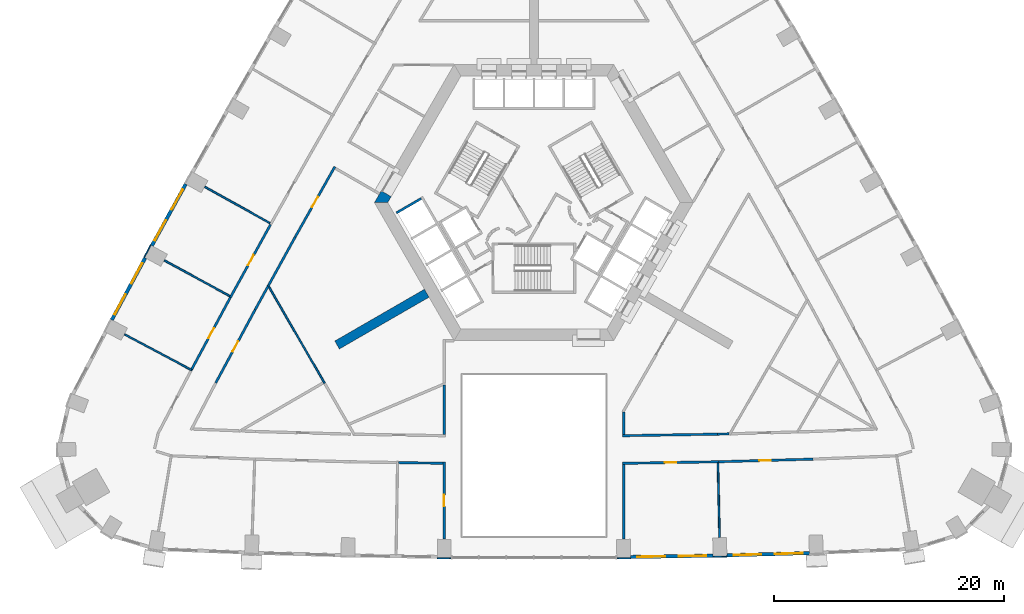
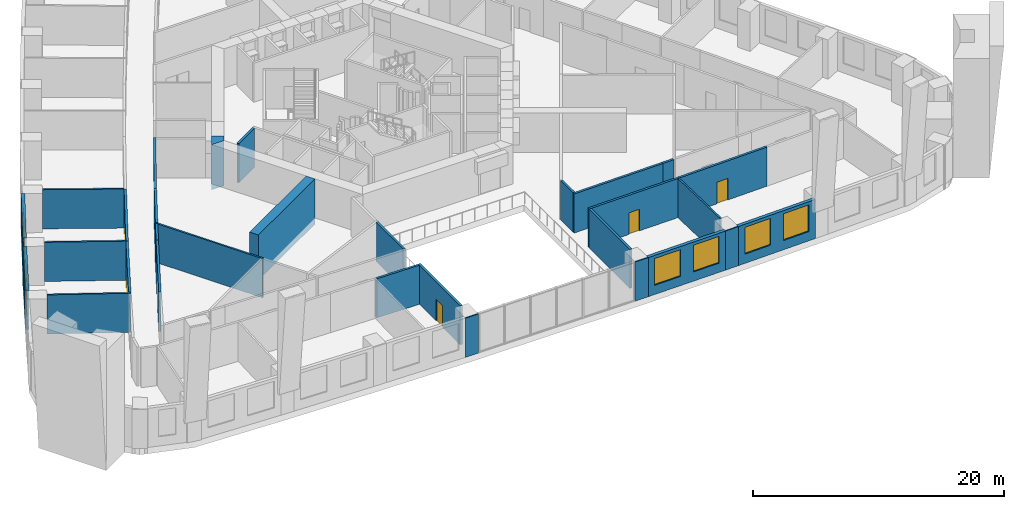
# One storey, part 5 of 15: 31 walls, 8 windows, 7 doors, 15 openings.
"""IFC4 building model written with IfcOpenShell, lengths in metres."""

from ifc_helpers import new_model, si_unit, direction, frame, frame_2d, origin, place, context, subcontext, project, spatial, polyline, rectangle, outline, extrude, material, layer, layer_set, type_object, element, fill, save


model = new_model("IFC4")

# Units and contexts
model_context = context("Model", 3, precision=1e-05, world=origin(), true_north=direction((0.0, 1.0)))
body_context = subcontext(model_context, "Body", "Model", "MODEL_VIEW")
ifc_project = project(units=[si_unit("LENGTHUNIT", "METRE"), si_unit("AREAUNIT", "SQUARE_METRE"), si_unit("VOLUMEUNIT", "CUBIC_METRE"), si_unit("PLANEANGLEUNIT", "RADIAN"), si_unit("MASSUNIT", "GRAM", prefix="KILO")], contexts=[model_context])

# Site, building, storey
site_placement = place(None, origin())
site = spatial("IfcSite", under=ifc_project, at=site_placement, CompositionType="ELEMENT")
building_placement = place(site_placement, origin())
building = spatial("IfcBuilding", under=site, at=building_placement, Name="Entoto Arch Interchange Tower", CompositionType="ELEMENT")
storey_placement = place(building_placement, frame((0.0, 0.0, 35.0)))
storey = spatial("IfcBuildingStorey", under=building, at=storey_placement, Name="L06", CompositionType="ELEMENT", Elevation=35.0)

# Walls
ifc_material_1 = material(Name="Concrete C60/75", Category="concrete")
ifc_layer_1 = layer(ifc_material_1, 0.800048828125)
ifc_layer_set_1 = layer_set([ifc_layer_1], Name="Concrete C60/75")
wall_type_1 = type_object("IfcWallType", Name="Buttress wall 800 C60/75", PredefinedType="SHEAR", material=ifc_layer_set_1)
wall_1_placement = place(storey_placement, frame((-9.31005859375, -5.375, -0.60009765625), z_axis=(0.0, 0.0, 1.0), x_axis=(-0.866017533419, -0.500013631625, 0.0)))
element("IfcWall", 1, at=wall_1_placement, inside=storey, type_object=wall_type_1, Name="Buttress wall SW L06", PredefinedType="SHEAR", context=body_context, shape_type="SweptSolid", body=[
    extrude(rectangle(XDim=8.999755859375, YDim=0.800048828125, at=frame_2d((4.5, 0.0))), origin(), (0.0, 0.0, 1.0), 4.400146484375),
])
ifc_layer_2 = layer(ifc_material_1, 1.0)
ifc_layer_set_2 = layer_set([ifc_layer_2], Name="Concrete C60/75")
wall_type_2 = type_object("IfcWallType", Name="Core wall 1000 C60/75", PredefinedType="SHEAR", material=ifc_layer_set_2)
wall_2_placement = place(storey_placement, frame((0.0, 0.0, -0.60009765625)))
element("IfcWall", 2, at=wall_2_placement, inside=storey, type_object=wall_type_2, Name="Core wall NW L06", PredefinedType="SHEAR", context=body_context, shape_type="SweptSolid", body=[
    extrude(outline(polyline([(-12.402099609375, 3.02001953125), (-13.26708984375, 3.52001953125), (-13.85595703125, 2.5), (-12.701904296875, 2.5), (-12.402099609375, 3.02001953125)])), origin(), (0.0, 0.0, 1.0), 4.400146484375),
])
ifc_material_2 = material(Name="Concrete C40/50", Category="concrete")
ifc_layer_3 = layer(ifc_material_2, 0.199951171875)
ifc_layer_set_3 = layer_set([ifc_layer_3], Name="Concrete C40/50")
wall_type_3 = type_object("IfcWallType", Name="LIFT SHAFT WALL 200", PredefinedType="STANDARD", material=ifc_layer_set_3)
wall_3_placement = place(storey_placement, frame((-9.7880859375, 2.85302734375, 0.0), z_axis=(0.0, 0.0, 1.0), x_axis=(-0.865998541277, -0.500046524342, 0.0)))
element("IfcWall", 3, at=wall_3_placement, inside=storey, type_object=wall_type_3, Name="Shaft wall SW3 cross 1", PredefinedType="STANDARD", context=body_context, shape_type="SweptSolid", body=[
    extrude(rectangle(XDim=2.499755859375, YDim=0.199951171875, at=frame_2d((1.25, 0.0))), origin(), (0.0, 0.0, 1.0), 3.800048828125),
])
ifc_material_3 = material(Name="Gypsum board partition on steel studs", Category="steel")
ifc_layer_4 = layer(ifc_material_3, 0.14990234375)
ifc_layer_set_4 = layer_set([ifc_layer_4], Name="Gypsum board partition on steel studs")
wall_type_4 = type_object("IfcWallType", Name="PARTITION 150", PredefinedType="PARTITIONING", material=ifc_layer_set_4)
wall_4_placement = place(storey_placement, frame((-18.181884765625, -13.20703125, 0.0), z_axis=(0.0, 0.0, 1.0), x_axis=(-0.500081416649, 0.865978392757, 0.0)))
element("IfcWall", 4, at=wall_4_placement, inside=storey, type_object=wall_type_4, Name="wall:L06:p122", PredefinedType="PARTITIONING", context=body_context, shape_type="SweptSolid", body=[
    extrude(rectangle(XDim=9.890380859375, YDim=0.14990234375, at=frame_2d((4.9453125, 0.0))), origin(), (0.0, 0.0, 1.0), 3.800048828125),
])
wall_5_placement = place(storey_placement, frame((15.988037109375, -20.123046875, 0.0), z_axis=(0.0, 0.0, 1.0), x_axis=(0.022230127358, -0.999752880185, 0.0)))
element("IfcWall", 5, at=wall_5_placement, inside=storey, type_object=wall_type_4, Name="wall:L06:p126", PredefinedType="PARTITIONING", context=body_context, shape_type="SweptSolid", body=[
    extrude(rectangle(XDim=6.479736328125, YDim=0.14990234375, at=frame_2d((3.23974609375, 0.0))), origin(), (0.0, 0.0, 1.0), 3.800048828125),
])
wall_6_placement = place(storey_placement, frame((-22.93505859375, 0.7119140625, 0.0), z_axis=(0.0, 0.0, 1.0), x_axis=(-0.873395616379, 0.487011393389, 0.0)))
element("IfcWall", 6, at=wall_6_placement, inside=storey, type_object=wall_type_4, Name="wall:L06:p141", PredefinedType="PARTITIONING", context=body_context, shape_type="SweptSolid", body=[
    extrude(rectangle(XDim=6.48046875, YDim=0.14990234375, at=frame_2d((3.240234375, 0.0))), origin(), (0.0, 0.0, 1.0), 3.800048828125),
])
wall_7_placement = place(storey_placement, frame((-26.425048828125, -5.623046875, 0.0), z_axis=(0.0, 0.0, 1.0), x_axis=(-0.87825523631, 0.478192157919, 0.0)))
element("IfcWall", 7, at=wall_7_placement, inside=storey, type_object=wall_type_4, Name="wall:L06:p142", PredefinedType="PARTITIONING", context=body_context, shape_type="SweptSolid", body=[
    extrude(rectangle(XDim=6.48095703125, YDim=0.14990234375, at=frame_2d((3.240478515625, 0.0))), origin(), (0.0, 0.0, 1.0), 3.800048828125),
])
wall_8_placement = place(storey_placement, frame((-29.763916015625, -12.0400390625, 0.0), z_axis=(0.0, 0.0, 1.0), x_axis=(-0.883018657393, 0.469337885426, 0.0)))
element("IfcWall", 8, at=wall_8_placement, inside=storey, type_object=wall_type_4, Name="wall:L06:p143", PredefinedType="PARTITIONING", context=body_context, shape_type="SweptSolid", body=[
    extrude(rectangle(XDim=6.579833984375, YDim=0.14990234375, at=frame_2d((3.2900390625, 0.0))), origin(), (0.0, 0.0, 1.0), 3.800048828125),
])
ifc_layer_5 = layer(ifc_material_3, 0.199951171875)
ifc_layer_set_5 = layer_set([ifc_layer_5], Name="Gypsum board partition on steel studs")
wall_type_5 = type_object("IfcWallType", Name="PARTITION 200", PredefinedType="PARTITIONING", material=ifc_layer_set_5)
wall_9_placement = place(storey_placement, frame((7.699951171875, -17.758056640625, 0.0), z_axis=(0.0, 0.0, 1.0), x_axis=(0.999865574926, 0.016396099485, 0.0)))
element("IfcWall", 9, at=wall_9_placement, inside=storey, type_object=wall_type_5, Name="wall:L06:p014", PredefinedType="PARTITIONING", context=body_context, shape_type="SweptSolid", body=[
    extrude(rectangle(XDim=8.234375, YDim=0.199951171875, at=frame_2d((4.1171875, 0.0))), origin(), (0.0, 0.0, 1.0), 3.800048828125),
])
wall_10_placement = place(storey_placement, frame((15.93310546875, -17.623046875, 0.0), z_axis=(0.0, 0.0, 1.0), x_axis=(0.999627129061, 0.027305729179, 0.0)))
element("IfcWall", 10, at=wall_10_placement, inside=storey, type_object=wall_type_5, Name="wall:L06:p015", PredefinedType="PARTITIONING", context=body_context, shape_type="SweptSolid", body=[
    extrude(rectangle(XDim=1.0283203125, YDim=0.199951171875, at=frame_2d((0.51416015625, 0.0))), origin(), (0.0, 0.0, 1.0), 3.800048828125),
])

# Wall, opening, door
wall_11_placement = place(storey_placement, frame((-17.299072265625, 5.616943359375, 0.0), z_axis=(0.0, 0.0, 1.0), x_axis=(-0.491166441632, -0.871065741844, 0.0)))
wall_11 = element("IfcWall", 11, at=wall_11_placement, inside=storey, type_object=wall_type_5, Name="wall:L06:p026", PredefinedType="PARTITIONING", context=body_context, shape_type="SweptSolid", body=[
    extrude(rectangle(XDim=7.028076171875, YDim=0.199951171875, at=frame_2d((3.51416015625, 0.0))), origin(), (0.0, 0.0, 1.0), 3.800048828125),
])
opening_1_placement = place(wall_11_placement, frame((3.013916015625, 0.0, 0.0)))
opening_1 = element("IfcOpeningElement", 12, at=opening_1_placement, cuts=wall_11, Name="Opening L06-D30", PredefinedType="OPENING", context=body_context, shape_type="SweptSolid", body=[
    extrude(rectangle(XDim=1.0, YDim=2.10009765625, at=frame_2d((0.5, 1.050048828125))), frame((0.0, 0.10986328125, 0.0), z_axis=(0.0, -1.0, 0.0), x_axis=(1.0, 0.0, 0.0)), (0.0, 0.0, 1.0), 0.219970703125),
])
ifc_material_4 = material(Name="Timber door leaf in Steel S235 frame", Category="steel")
door_type = type_object("IfcDoorType", Name="DOOR DS-10 1000x2100", OperationType="SINGLE_SWING_LEFT", PredefinedType="DOOR", material=ifc_material_4)
door_1_placement = place(opening_1_placement, origin())
door_1 = element("IfcDoor", 13, at=door_1_placement, inside=storey, type_object=door_type, Name="door:L06:30", OperationType="SINGLE_SWING_RIGHT", OverallHeight=2.10009765625, OverallWidth=1.0, PredefinedType="DOOR", context=body_context, shape_type="SweptSolid", body=[
    extrude(rectangle(XDim=1.0, YDim=2.10009765625, at=frame_2d((0.5, 1.050048828125))), frame((0.0, 0.02490234375, 0.0), z_axis=(0.0, -1.0, 0.0), x_axis=(1.0, 0.0, 0.0)), (0.0, 0.0, 1.0), 0.050048828125),
])
fill(opening_1, door_1)

# Walls
wall_12_placement = place(storey_placement, frame((-20.7509765625, -0.5048828125, 0.0), z_axis=(0.0, 0.0, 1.0), x_axis=(-0.482566110981, -0.875859548405, 0.0)))
element("IfcWall", 14, at=wall_12_placement, inside=storey, type_object=wall_type_5, Name="wall:L06:p027", PredefinedType="PARTITIONING", context=body_context, shape_type="SweptSolid", body=[
    extrude(rectangle(XDim=4.74755859375, YDim=0.199951171875, at=frame_2d((2.373779296875, 0.0))), origin(), (0.0, 0.0, 1.0), 3.800048828125),
])
wall_13_placement = place(storey_placement, frame((-23.114013671875, -4.7939453125, 0.0), z_axis=(0.0, 0.0, 1.0), x_axis=(-0.482482362329, -0.875905685586, 0.0)))
element("IfcWall", 15, at=wall_13_placement, inside=storey, type_object=wall_type_5, Name="wall:L06:p029", PredefinedType="PARTITIONING", context=body_context, shape_type="SweptSolid", body=[
    extrude(rectangle(XDim=2.31103515625, YDim=0.199951171875, at=frame_2d((1.155517578125, 0.0))), origin(), (0.0, 0.0, 1.0), 3.800048828125),
])

# Wall, opening, door
wall_14_placement = place(storey_placement, frame((-24.22900390625, -6.818115234375, 0.0), z_axis=(0.0, 0.0, 1.0), x_axis=(-0.473714049803, -0.88067871498, 0.0)))
wall_14 = element("IfcWall", 16, at=wall_14_placement, inside=storey, type_object=wall_type_5, Name="wall:L06:p030", PredefinedType="PARTITIONING", context=body_context, shape_type="SweptSolid", body=[
    extrude(rectangle(XDim=7.208984375, YDim=0.199951171875, at=frame_2d((3.6044921875, 0.0))), origin(), (0.0, 0.0, 1.0), 3.800048828125),
])
opening_2_placement = place(wall_14_placement, frame((3.10400390625, 0.0, 0.0)))
opening_2 = element("IfcOpeningElement", 17, at=opening_2_placement, cuts=wall_14, Name="Opening L06-D32", PredefinedType="OPENING", context=body_context, shape_type="SweptSolid", body=[
    extrude(rectangle(XDim=1.0, YDim=2.10009765625, at=frame_2d((0.5, 1.050048828125))), frame((0.0, 0.10986328125, 0.0), z_axis=(0.0, -1.0, 0.0), x_axis=(1.0, 0.0, 0.0)), (0.0, 0.0, 1.0), 0.219970703125),
])
door_2_placement = place(opening_2_placement, origin())
door_2 = element("IfcDoor", 18, at=door_2_placement, inside=storey, type_object=door_type, Name="door:L06:32", OperationType="SINGLE_SWING_RIGHT", OverallHeight=2.10009765625, OverallWidth=1.0, PredefinedType="DOOR", context=body_context, shape_type="SweptSolid", body=[
    extrude(rectangle(XDim=1.0, YDim=2.10009765625, at=frame_2d((0.5, 1.050048828125))), frame((0.0, 0.02490234375, 0.0), z_axis=(0.0, -1.0, 0.0), x_axis=(1.0, 0.0, 0.0)), (0.0, 0.0, 1.0), 0.050048828125),
])
fill(opening_2, door_2)

wall_15_placement = place(storey_placement, frame((16.06103515625, -20.02197265625, 0.0), z_axis=(0.0, 0.0, 1.0), x_axis=(-0.999865858466, -0.016378799504, 0.0)))
wall_15 = element("IfcWall", 19, at=wall_15_placement, inside=storey, type_object=wall_type_5, Name="wall:L06:p035", PredefinedType="PARTITIONING", context=body_context, shape_type="SweptSolid", body=[
    extrude(rectangle(XDim=8.3623046875, YDim=0.199951171875, at=frame_2d((4.18115234375, 0.0))), origin(), (0.0, 0.0, 1.0), 3.800048828125),
])
opening_3_placement = place(wall_15_placement, frame((3.680908203125, 0.0, 0.0)))
opening_3 = element("IfcOpeningElement", 20, at=opening_3_placement, cuts=wall_15, Name="Opening L06-D01", PredefinedType="OPENING", context=body_context, shape_type="SweptSolid", body=[
    extrude(rectangle(XDim=1.0, YDim=2.10009765625, at=frame_2d((0.5, 1.050048828125))), frame((0.0, 0.10986328125, 0.0), z_axis=(0.0, -1.0, 0.0), x_axis=(1.0, 0.0, 0.0)), (0.0, 0.0, 1.0), 0.219970703125),
])
door_3_placement = place(opening_3_placement, origin())
door_3 = element("IfcDoor", 21, at=door_3_placement, inside=storey, type_object=door_type, Name="door:L06:01", OperationType="SINGLE_SWING_RIGHT", OverallHeight=2.10009765625, OverallWidth=1.0, PredefinedType="DOOR", context=body_context, shape_type="SweptSolid", body=[
    extrude(rectangle(XDim=1.0, YDim=2.10009765625, at=frame_2d((0.5, 1.050048828125))), frame((0.0, 0.02490234375, 0.0), z_axis=(0.0, -1.0, 0.0), x_axis=(1.0, 0.0, 0.0)), (0.0, 0.0, 1.0), 0.050048828125),
])
fill(opening_3, door_3)

wall_16_placement = place(storey_placement, frame((24.260986328125, -19.7919921875, 0.0), z_axis=(0.0, 0.0, 1.0), x_axis=(-0.999610256124, -0.027916587377, 0.0)))
wall_16 = element("IfcWall", 22, at=wall_16_placement, inside=storey, type_object=wall_type_5, Name="wall:L06:p037", PredefinedType="PARTITIONING", context=body_context, shape_type="SweptSolid", body=[
    extrude(rectangle(XDim=8.203125, YDim=0.199951171875, at=frame_2d((4.1015625, 0.0))), origin(), (0.0, 0.0, 1.0), 3.800048828125),
])
opening_4_placement = place(wall_16_placement, frame((3.677001953125, 0.0, 0.0)))
opening_4 = element("IfcOpeningElement", 23, at=opening_4_placement, cuts=wall_16, Name="Opening L06-D02", PredefinedType="OPENING", context=body_context, shape_type="SweptSolid", body=[
    extrude(rectangle(XDim=1.0, YDim=2.10009765625, at=frame_2d((0.5, 1.050048828125))), frame((0.0, 0.10986328125, 0.0), z_axis=(0.0, -1.0, 0.0), x_axis=(1.0, 0.0, 0.0)), (0.0, 0.0, 1.0), 0.219970703125),
])
door_4_placement = place(opening_4_placement, origin())
door_4 = element("IfcDoor", 24, at=door_4_placement, inside=storey, type_object=door_type, Name="door:L06:02", OperationType="SINGLE_SWING_RIGHT", OverallHeight=2.10009765625, OverallWidth=1.0, PredefinedType="DOOR", context=body_context, shape_type="SweptSolid", body=[
    extrude(rectangle(XDim=1.0, YDim=2.10009765625, at=frame_2d((0.5, 1.050048828125))), frame((0.0, 0.02490234375, 0.0), z_axis=(0.0, -1.0, 0.0), x_axis=(1.0, 0.0, 0.0)), (0.0, 0.0, 1.0), 0.050048828125),
])
fill(opening_4, door_4)

wall_17_placement = place(storey_placement, frame((-26.373046875, -5.736083984375, 0.0), z_axis=(0.0, 0.0, 1.0), x_axis=(0.482587313112, 0.875847866483, 0.0)))
wall_17 = element("IfcWall", 25, at=wall_17_placement, inside=storey, type_object=wall_type_5, Name="wall:L06:p064", PredefinedType="PARTITIONING", context=body_context, shape_type="SweptSolid", body=[
    extrude(rectangle(XDim=7.23193359375, YDim=0.199951171875, at=frame_2d((3.615966796875, 0.0))), origin(), (0.0, 0.0, 1.0), 3.800048828125),
])
opening_5_placement = place(wall_17_placement, frame((3.19091796875, 0.0, 0.0)))
opening_5 = element("IfcOpeningElement", 26, at=opening_5_placement, cuts=wall_17, Name="Opening L06-D17", PredefinedType="OPENING", context=body_context, shape_type="SweptSolid", body=[
    extrude(rectangle(XDim=1.0, YDim=2.10009765625, at=frame_2d((0.5, 1.050048828125))), frame((0.0, 0.10986328125, 0.0), z_axis=(0.0, -1.0, 0.0), x_axis=(1.0, 0.0, 0.0)), (0.0, 0.0, 1.0), 0.219970703125),
])
door_5_placement = place(opening_5_placement, origin())
door_5 = element("IfcDoor", 27, at=door_5_placement, inside=storey, type_object=door_type, Name="door:L06:17", OperationType="SINGLE_SWING_LEFT", OverallHeight=2.10009765625, OverallWidth=1.0, PredefinedType="DOOR", context=body_context, shape_type="SweptSolid", body=[
    extrude(rectangle(XDim=1.0, YDim=2.10009765625, at=frame_2d((0.5, 1.050048828125))), frame((0.0, 0.02490234375, 0.0), z_axis=(0.0, -1.0, 0.0), x_axis=(1.0, 0.0, 0.0)), (0.0, 0.0, 1.0), 0.050048828125),
])
fill(opening_5, door_5)

wall_18_placement = place(storey_placement, frame((-29.799072265625, -12.10595703125, 0.0), z_axis=(0.0, 0.0, 1.0), x_axis=(0.473681086062, 0.880696445268, 0.0)))
wall_18 = element("IfcWall", 28, at=wall_18_placement, inside=storey, type_object=wall_type_5, Name="wall:L06:p065", PredefinedType="PARTITIONING", context=body_context, shape_type="SweptSolid", body=[
    extrude(rectangle(XDim=7.232666015625, YDim=0.199951171875, at=frame_2d((3.6162109375, 0.0))), origin(), (0.0, 0.0, 1.0), 3.800048828125),
])
opening_6_placement = place(wall_18_placement, frame((3.19091796875, 0.0, 0.0)))
opening_6 = element("IfcOpeningElement", 29, at=opening_6_placement, cuts=wall_18, Name="Opening L06-D18", PredefinedType="OPENING", context=body_context, shape_type="SweptSolid", body=[
    extrude(rectangle(XDim=1.0, YDim=2.10009765625, at=frame_2d((0.5, 1.050048828125))), frame((0.0, 0.10986328125, 0.0), z_axis=(0.0, -1.0, 0.0), x_axis=(1.0, 0.0, 0.0)), (0.0, 0.0, 1.0), 0.219970703125),
])
door_6_placement = place(opening_6_placement, origin())
door_6 = element("IfcDoor", 30, at=door_6_placement, inside=storey, type_object=door_type, Name="door:L06:18", OperationType="SINGLE_SWING_RIGHT", OverallHeight=2.10009765625, OverallWidth=1.0, PredefinedType="DOOR", context=body_context, shape_type="SweptSolid", body=[
    extrude(rectangle(XDim=1.0, YDim=2.10009765625, at=frame_2d((0.5, 1.050048828125))), frame((0.0, 0.02490234375, 0.0), z_axis=(0.0, -1.0, 0.0), x_axis=(1.0, 0.0, 0.0)), (0.0, 0.0, 1.0), 0.050048828125),
])
fill(opening_6, door_6)

# Walls
wall_19_placement = place(storey_placement, frame((-7.89990234375, -20.155029296875, 0.0), z_axis=(0.0, 0.0, 1.0), x_axis=(-0.999867846419, 0.016256989184, 0.0)))
element("IfcWall", 31, at=wall_19_placement, inside=storey, type_object=wall_type_5, Name="wall:L06:p072", PredefinedType="PARTITIONING", context=body_context, shape_type="SweptSolid", body=[
    extrude(rectangle(XDim=3.87451171875, YDim=0.199951171875, at=frame_2d((1.937255859375, 0.0))), origin(), (0.0, 0.0, 1.0), 3.800048828125),
])
wall_20_placement = place(storey_placement, frame((7.800048828125, -15.68994140625, 0.0), z_axis=(0.0, 0.0, 1.0), x_axis=(0.0, -1.0, 0.0)))
element("IfcWall", 32, at=wall_20_placement, inside=storey, type_object=wall_type_5, Name="wall:L06:p104", PredefinedType="PARTITIONING", context=body_context, shape_type="SweptSolid", body=[
    extrude(rectangle(XDim=1.967041015625, YDim=0.199951171875, at=frame_2d((0.9833984375, 0.0))), origin(), (0.0, 0.0, 1.0), 3.800048828125),
])
wall_21_placement = place(storey_placement, frame((-7.800048828125, -17.656982421875, 0.0), z_axis=(0.0, 0.0, 1.0), x_axis=(0.0, 1.0, 0.0)))
element("IfcWall", 33, at=wall_21_placement, inside=storey, type_object=wall_type_5, Name="wall:L06:p107", PredefinedType="PARTITIONING", context=body_context, shape_type="SweptSolid", body=[
    extrude(rectangle(XDim=4.2958984375, YDim=0.199951171875, at=frame_2d((2.14794921875, 0.0))), origin(), (0.0, 0.0, 1.0), 3.800048828125),
])
wall_22_placement = place(storey_placement, frame((7.800048828125, -20.257080078125, 0.0), z_axis=(0.0, 0.0, 1.0), x_axis=(0.0, -1.0, 0.0)))
element("IfcWall", 34, at=wall_22_placement, inside=storey, type_object=wall_type_5, Name="wall:L06:p108", PredefinedType="PARTITIONING", context=body_context, shape_type="SweptSolid", body=[
    extrude(rectangle(XDim=6.48095703125, YDim=0.199951171875, at=frame_2d((3.240478515625, 0.0))), origin(), (0.0, 0.0, 1.0), 3.800048828125),
])

# Wall, opening, door
wall_23_placement = place(storey_placement, frame((-7.800048828125, -26.738037109375, 0.0), z_axis=(0.0, 0.0, 1.0), x_axis=(0.0, 1.0, 0.0)))
wall_23 = element("IfcWall", 35, at=wall_23_placement, inside=storey, type_object=wall_type_5, Name="wall:L06:p109", PredefinedType="PARTITIONING", context=body_context, shape_type="SweptSolid", body=[
    extrude(rectangle(XDim=6.68115234375, YDim=0.199951171875, at=frame_2d((3.340576171875, 0.0))), origin(), (0.0, 0.0, 1.0), 3.800048828125),
])
opening_7_placement = place(wall_23_placement, frame((2.841064453125, 0.0, 0.0)))
opening_7 = element("IfcOpeningElement", 36, at=opening_7_placement, cuts=wall_23, Name="Opening L06-D22", PredefinedType="OPENING", context=body_context, shape_type="SweptSolid", body=[
    extrude(rectangle(XDim=1.0, YDim=2.10009765625, at=frame_2d((0.5, 1.050048828125))), frame((0.0, 0.10986328125, 0.0), z_axis=(0.0, -1.0, 0.0), x_axis=(1.0, 0.0, 0.0)), (0.0, 0.0, 1.0), 0.219970703125),
])
door_7_placement = place(opening_7_placement, origin())
door_7 = element("IfcDoor", 37, at=door_7_placement, inside=storey, type_object=door_type, Name="door:L06:22", OperationType="SINGLE_SWING_LEFT", OverallHeight=2.10009765625, OverallWidth=1.0, PredefinedType="DOOR", context=body_context, shape_type="SweptSolid", body=[
    extrude(rectangle(XDim=1.0, YDim=2.10009765625, at=frame_2d((0.5, 1.050048828125))), frame((0.0, 0.02490234375, 0.0), z_axis=(0.0, -1.0, 0.0), x_axis=(1.0, 0.0, 0.0)), (0.0, 0.0, 1.0), 0.050048828125),
])
fill(opening_7, door_7)

# Wall, openings, windows
ifc_material_5 = material(Name="Welded tuff (ignimbrite) cladding, warm buff", Category="masonry")
ifc_layer_6 = layer(ifc_material_5, 0.300048828125)
ifc_layer_set_6 = layer_set([ifc_layer_6], Name="Welded tuff (ignimbrite) cladding, warm buff")
wall_type_6 = type_object("IfcWallType", Name="STONE INFILL WALL 300", PredefinedType="STANDARD", material=ifc_layer_set_6)
wall_24_placement = place(storey_placement, frame((8.39794921875, -28.298095703125, 0.0), z_axis=(0.0, 0.0, 1.0), x_axis=(0.999866467443, 0.016341581408, 0.0)))
wall_24 = element("IfcWall", 38, at=wall_24_placement, inside=storey, type_object=wall_type_6, Name="Facade wall S-05 L06", PredefinedType="STANDARD", context=body_context, shape_type="SweptSolid", body=[
    extrude(rectangle(XDim=7.171142578125, YDim=0.300048828125, at=frame_2d((3.58544921875, 0.0))), origin(), (0.0, 0.0, 1.0), 3.800048828125),
])
opening_8_placement = place(wall_24_placement, frame((0.593017578125, 0.0, 0.89990234375)))
opening_8 = element("IfcOpeningElement", 39, at=opening_8_placement, cuts=wall_24, Name="Opening WO-A", PredefinedType="OPENING", context=body_context, shape_type="SweptSolid", body=[
    extrude(rectangle(XDim=2.39990234375, YDim=2.60009765625, at=frame_2d((1.199951171875, 1.300048828125))), frame((0.0, 0.16015625, 0.0), z_axis=(0.0, -1.0, 0.0), x_axis=(1.0, 0.0, 0.0)), (0.0, 0.0, 1.0), 0.320068359375),
])
opening_9_placement = place(wall_24_placement, frame((4.177978515625, 0.0, 0.89990234375)))
opening_9 = element("IfcOpeningElement", 40, at=opening_9_placement, cuts=wall_24, Name="Opening WO-A", PredefinedType="OPENING", context=body_context, shape_type="SweptSolid", body=[
    extrude(rectangle(XDim=2.39990234375, YDim=2.60009765625, at=frame_2d((1.199951171875, 1.300048828125))), frame((0.0, 0.16015625, 0.0), z_axis=(0.0, -1.0, 0.0), x_axis=(1.0, 0.0, 0.0)), (0.0, 0.0, 1.0), 0.320068359375),
])
ifc_material_6 = material(Name="Clear glass, low-e double glazed", Category="glass")
window_type_1 = type_object("IfcWindowType", Name="WINDOW WO-A 2400x2600", PartitioningType="DOUBLE_PANEL_VERTICAL", PredefinedType="WINDOW", material=ifc_material_6)
window_1_placement = place(opening_8_placement, origin())
window_1 = element("IfcWindow", 41, at=window_1_placement, inside=storey, type_object=window_type_1, Name="Window WO-A S-05 L06", OverallHeight=2.60009765625, OverallWidth=2.39990234375, PartitioningType="SINGLE_PANEL", PredefinedType="WINDOW", context=body_context, shape_type="SweptSolid", body=[
    extrude(rectangle(XDim=2.39990234375, YDim=2.60009765625, at=frame_2d((1.199951171875, 1.300048828125))), frame((0.0, 0.030029296875, 0.0), z_axis=(0.0, -1.0, 0.0), x_axis=(1.0, 0.0, 0.0)), (0.0, 0.0, 1.0), 0.06005859375),
])
fill(opening_8, window_1)
window_2_placement = place(opening_9_placement, origin())
window_2 = element("IfcWindow", 42, at=window_2_placement, inside=storey, type_object=window_type_1, Name="Window WO-A S-05 L06", OverallHeight=2.60009765625, OverallWidth=2.39990234375, PartitioningType="SINGLE_PANEL", PredefinedType="WINDOW", context=body_context, shape_type="SweptSolid", body=[
    extrude(rectangle(XDim=2.39990234375, YDim=2.60009765625, at=frame_2d((1.199951171875, 1.300048828125))), frame((0.0, 0.030029296875, 0.0), z_axis=(0.0, -1.0, 0.0), x_axis=(1.0, 0.0, 0.0)), (0.0, 0.0, 1.0), 0.06005859375),
])
fill(opening_9, window_2)

wall_25_placement = place(storey_placement, frame((16.764892578125, -28.154052734375, 0.0), z_axis=(0.0, 0.0, 1.0), x_axis=(0.999611502654, 0.02787191709, 0.0)))
wall_25 = element("IfcWall", 43, at=wall_25_placement, inside=storey, type_object=wall_type_6, Name="Facade wall S-06 L06", PredefinedType="STANDARD", context=body_context, shape_type="SweptSolid", body=[
    extrude(rectangle(XDim=7.173828125, YDim=0.300048828125, at=frame_2d((3.5869140625, 0.0))), origin(), (0.0, 0.0, 1.0), 3.800048828125),
])
opening_10_placement = place(wall_25_placement, frame((0.593017578125, 0.0, 0.89990234375)))
opening_10 = element("IfcOpeningElement", 44, at=opening_10_placement, cuts=wall_25, Name="Opening WO-A", PredefinedType="OPENING", context=body_context, shape_type="SweptSolid", body=[
    extrude(rectangle(XDim=2.39990234375, YDim=2.60009765625, at=frame_2d((1.199951171875, 1.300048828125))), frame((0.0, 0.16015625, 0.0), z_axis=(0.0, -1.0, 0.0), x_axis=(1.0, 0.0, 0.0)), (0.0, 0.0, 1.0), 0.320068359375),
])
opening_11_placement = place(wall_25_placement, frame((4.179931640625, 0.0, 0.89990234375)))
opening_11 = element("IfcOpeningElement", 45, at=opening_11_placement, cuts=wall_25, Name="Opening WO-A", PredefinedType="OPENING", context=body_context, shape_type="SweptSolid", body=[
    extrude(rectangle(XDim=2.39990234375, YDim=2.60009765625, at=frame_2d((1.199951171875, 1.300048828125))), frame((0.0, 0.16015625, 0.0), z_axis=(0.0, -1.0, 0.0), x_axis=(1.0, 0.0, 0.0)), (0.0, 0.0, 1.0), 0.320068359375),
])
window_3_placement = place(opening_10_placement, origin())
window_3 = element("IfcWindow", 46, at=window_3_placement, inside=storey, type_object=window_type_1, Name="Window WO-A S-06 L06", OverallHeight=2.60009765625, OverallWidth=2.39990234375, PartitioningType="SINGLE_PANEL", PredefinedType="WINDOW", context=body_context, shape_type="SweptSolid", body=[
    extrude(rectangle(XDim=2.39990234375, YDim=2.60009765625, at=frame_2d((1.199951171875, 1.300048828125))), frame((0.0, 0.030029296875, 0.0), z_axis=(0.0, -1.0, 0.0), x_axis=(1.0, 0.0, 0.0)), (0.0, 0.0, 1.0), 0.06005859375),
])
fill(opening_10, window_3)
window_4_placement = place(opening_11_placement, origin())
window_4 = element("IfcWindow", 47, at=window_4_placement, inside=storey, type_object=window_type_1, Name="Window WO-A S-06 L06", OverallHeight=2.60009765625, OverallWidth=2.39990234375, PartitioningType="SINGLE_PANEL", PredefinedType="WINDOW", context=body_context, shape_type="SweptSolid", body=[
    extrude(rectangle(XDim=2.39990234375, YDim=2.60009765625, at=frame_2d((1.199951171875, 1.300048828125))), frame((0.0, 0.030029296875, 0.0), z_axis=(0.0, -1.0, 0.0), x_axis=(1.0, 0.0, 0.0)), (0.0, 0.0, 1.0), 0.06005859375),
])
fill(opening_11, window_4)

wall_26_placement = place(storey_placement, frame((-30.2548828125, 4.10693359375, 0.0), z_axis=(0.0, 0.0, 1.0), x_axis=(-0.482596003603, -0.875843078015, 0.0)))
wall_26 = element("IfcWall", 48, at=wall_26_placement, inside=storey, type_object=wall_type_6, Name="Facade wall NW-07 L06", PredefinedType="STANDARD", context=body_context, shape_type="SweptSolid", body=[
    extrude(rectangle(XDim=6.115234375, YDim=0.300048828125, at=frame_2d((3.0576171875, 0.0))), origin(), (0.0, 0.0, 1.0), 3.800048828125),
])
opening_12_placement = place(wall_26_placement, frame((0.529052734375, 0.0, 0.89990234375)))
opening_12 = element("IfcOpeningElement", 49, at=opening_12_placement, cuts=wall_26, Name="Opening WO-C", PredefinedType="OPENING", context=body_context, shape_type="SweptSolid", body=[
    extrude(rectangle(XDim=2.0, YDim=2.60009765625, at=frame_2d((1.0, 1.300048828125))), frame((0.0, 0.16015625, 0.0), z_axis=(0.0, -1.0, 0.0), x_axis=(1.0, 0.0, 0.0)), (0.0, 0.0, 1.0), 0.320068359375),
])
opening_13_placement = place(wall_26_placement, frame((3.5859375, 0.0, 0.89990234375)))
opening_13 = element("IfcOpeningElement", 50, at=opening_13_placement, cuts=wall_26, Name="Opening WO-C", PredefinedType="OPENING", context=body_context, shape_type="SweptSolid", body=[
    extrude(rectangle(XDim=2.0, YDim=2.60009765625, at=frame_2d((1.0, 1.300048828125))), frame((0.0, 0.16015625, 0.0), z_axis=(0.0, -1.0, 0.0), x_axis=(1.0, 0.0, 0.0)), (0.0, 0.0, 1.0), 0.320068359375),
])
window_type_2 = type_object("IfcWindowType", Name="WINDOW WO-C 2000x2600", PartitioningType="DOUBLE_PANEL_VERTICAL", PredefinedType="WINDOW", material=ifc_material_6)
window_5_placement = place(opening_12_placement, origin())
window_5 = element("IfcWindow", 51, at=window_5_placement, inside=storey, type_object=window_type_2, Name="Window WO-C NW-07 L06", OverallHeight=2.60009765625, OverallWidth=2.0, PartitioningType="SINGLE_PANEL", PredefinedType="WINDOW", context=body_context, shape_type="SweptSolid", body=[
    extrude(rectangle(XDim=2.0, YDim=2.60009765625, at=frame_2d((1.0, 1.300048828125))), frame((0.0, 0.030029296875, 0.0), z_axis=(0.0, -1.0, 0.0), x_axis=(1.0, 0.0, 0.0)), (0.0, 0.0, 1.0), 0.06005859375),
])
fill(opening_12, window_5)
window_6_placement = place(opening_13_placement, origin())
window_6 = element("IfcWindow", 52, at=window_6_placement, inside=storey, type_object=window_type_2, Name="Window WO-C NW-07 L06", OverallHeight=2.60009765625, OverallWidth=2.0, PartitioningType="SINGLE_PANEL", PredefinedType="WINDOW", context=body_context, shape_type="SweptSolid", body=[
    extrude(rectangle(XDim=2.0, YDim=2.60009765625, at=frame_2d((1.0, 1.300048828125))), frame((0.0, 0.030029296875, 0.0), z_axis=(0.0, -1.0, 0.0), x_axis=(1.0, 0.0, 0.0)), (0.0, 0.0, 1.0), 0.06005859375),
])
fill(opening_13, window_6)

wall_27_placement = place(storey_placement, frame((-33.779052734375, -2.301025390625, 0.0), z_axis=(0.0, 0.0, 1.0), x_axis=(-0.47375467653, -0.880656860795, 0.0)))
wall_27 = element("IfcWall", 53, at=wall_27_placement, inside=storey, type_object=wall_type_6, Name="Facade wall NW-08 L06", PredefinedType="STANDARD", context=body_context, shape_type="SweptSolid", body=[
    extrude(rectangle(XDim=6.116943359375, YDim=0.300048828125, at=frame_2d((3.05859375, 0.0))), origin(), (0.0, 0.0, 1.0), 3.800048828125),
])
opening_14_placement = place(wall_27_placement, frame((0.529052734375, 0.0, 0.89990234375)))
opening_14 = element("IfcOpeningElement", 54, at=opening_14_placement, cuts=wall_27, Name="Opening WO-C", PredefinedType="OPENING", context=body_context, shape_type="SweptSolid", body=[
    extrude(rectangle(XDim=2.0, YDim=2.60009765625, at=frame_2d((1.0, 1.300048828125))), frame((0.0, 0.16015625, 0.0), z_axis=(0.0, -1.0, 0.0), x_axis=(1.0, 0.0, 0.0)), (0.0, 0.0, 1.0), 0.320068359375),
])
opening_15_placement = place(wall_27_placement, frame((3.587890625, 0.0, 0.89990234375)))
opening_15 = element("IfcOpeningElement", 55, at=opening_15_placement, cuts=wall_27, Name="Opening WO-C", PredefinedType="OPENING", context=body_context, shape_type="SweptSolid", body=[
    extrude(rectangle(XDim=2.0, YDim=2.60009765625, at=frame_2d((1.0, 1.300048828125))), frame((0.0, 0.16015625, 0.0), z_axis=(0.0, -1.0, 0.0), x_axis=(1.0, 0.0, 0.0)), (0.0, 0.0, 1.0), 0.320068359375),
])
window_7_placement = place(opening_14_placement, origin())
window_7 = element("IfcWindow", 56, at=window_7_placement, inside=storey, type_object=window_type_2, Name="Window WO-C NW-08 L06", OverallHeight=2.60009765625, OverallWidth=2.0, PartitioningType="SINGLE_PANEL", PredefinedType="WINDOW", context=body_context, shape_type="SweptSolid", body=[
    extrude(rectangle(XDim=2.0, YDim=2.60009765625, at=frame_2d((1.0, 1.300048828125))), frame((0.0, 0.030029296875, 0.0), z_axis=(0.0, -1.0, 0.0), x_axis=(1.0, 0.0, 0.0)), (0.0, 0.0, 1.0), 0.06005859375),
])
fill(opening_14, window_7)
window_8_placement = place(opening_15_placement, origin())
window_8 = element("IfcWindow", 57, at=window_8_placement, inside=storey, type_object=window_type_2, Name="Window WO-C NW-08 L06", OverallHeight=2.60009765625, OverallWidth=2.0, PartitioningType="SINGLE_PANEL", PredefinedType="WINDOW", context=body_context, shape_type="SweptSolid", body=[
    extrude(rectangle(XDim=2.0, YDim=2.60009765625, at=frame_2d((1.0, 1.300048828125))), frame((0.0, 0.030029296875, 0.0), z_axis=(0.0, -1.0, 0.0), x_axis=(1.0, 0.0, 0.0)), (0.0, 0.0, 1.0), 0.06005859375),
])
fill(opening_15, window_8)

# Walls
ifc_layer_7 = layer(ifc_material_5, 0.10009765625)
ifc_layer_set_7 = layer_set([ifc_layer_7], Name="Welded tuff (ignimbrite) cladding, warm buff")
wall_type_7 = type_object("IfcWallType", Name="STONE PIER CLADDING 100", PredefinedType="STANDARD", material=ifc_layer_set_7)
wall_28_placement = place(storey_placement, frame((-33.2958984375, -1.198974609375, 0.0), z_axis=(0.0, 0.0, 1.0), x_axis=(-0.478424520456, -0.878128679765, 0.0)))
element("IfcWall", 58, at=wall_28_placement, inside=storey, type_object=wall_type_7, Name="Stone pier NW08 L06", PredefinedType="STANDARD", context=body_context, shape_type="SweptSolid", body=[
    extrude(rectangle(XDim=1.2001953125, YDim=0.10009765625, at=frame_2d((0.60009765625, 0.0))), origin(), (0.0, 0.0, 1.0), 3.800048828125),
])
for number, where, z_axis, x_axis, name in (
    (59, (-8.39990234375, -28.403076171875, 0.0), (0.0, 0.0, 1.0), (0.999965208912, -0.008341520563, 0.0), "Stone pier S04 L06"),
    (60, (7.199951171875, -28.4130859375, 0.0), (0.0, 0.0, 1.0), (0.999965208912, 0.008341520563, 0.0), "Stone pier S05 L06"),
):
    element("IfcWall", number, at=place(storey_placement, frame(where, z_axis=z_axis, x_axis=x_axis)), inside=storey, type_object=wall_type_7, Name=name, PredefinedType="STANDARD", context=body_context, shape_type="SweptSolid", body=[
        extrude(rectangle(XDim=1.199951171875, YDim=0.10009765625, at=frame_2d((0.60009765625, 0.0))), origin(), (0.0, 0.0, 1.0), 3.800048828125),
    ])
wall_29_placement = place(storey_placement, frame((15.569091796875, -28.283935546875, 0.0), z_axis=(0.0, 0.0, 1.0), x_axis=(0.99976752127, 0.021561618973, 0.0)))
element("IfcWall", 61, at=wall_29_placement, inside=storey, type_object=wall_type_7, Name="Stone pier S06 L06", PredefinedType="STANDARD", context=body_context, shape_type="SweptSolid", body=[
    extrude(rectangle(XDim=1.2001953125, YDim=0.10009765625, at=frame_2d((0.60009765625, 0.0))), origin(), (0.0, 0.0, 1.0), 3.800048828125),
])

save(model, "model.ifc")
